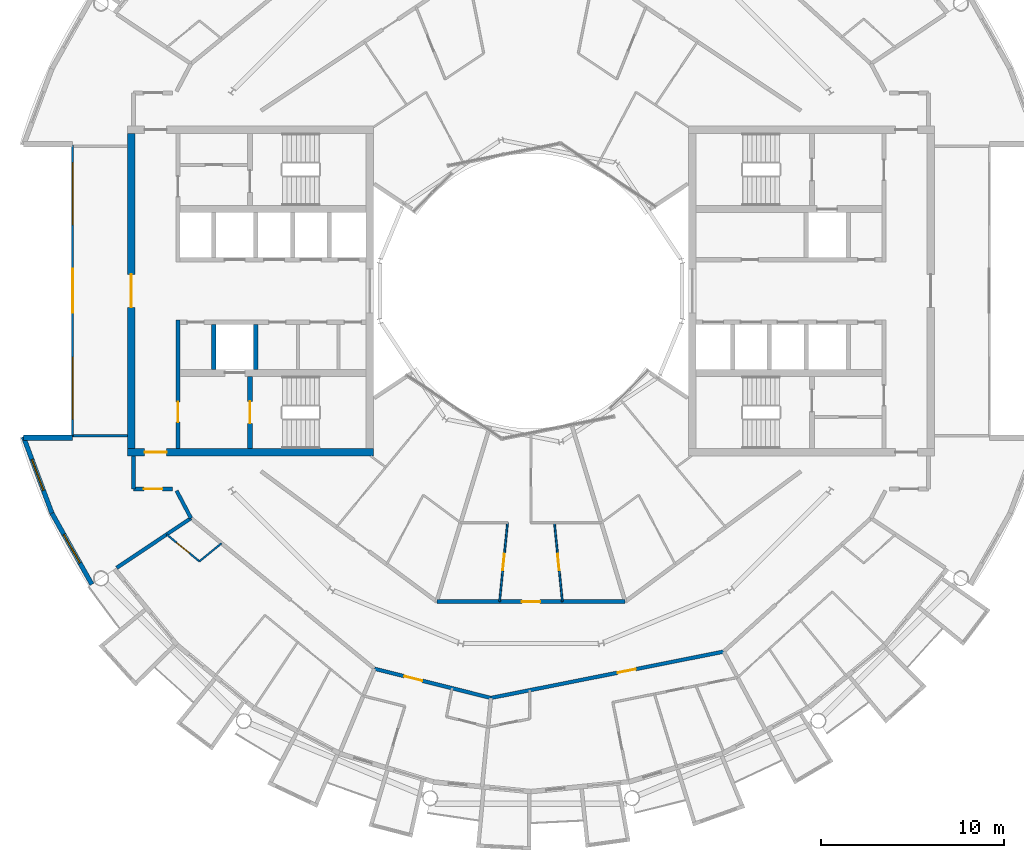
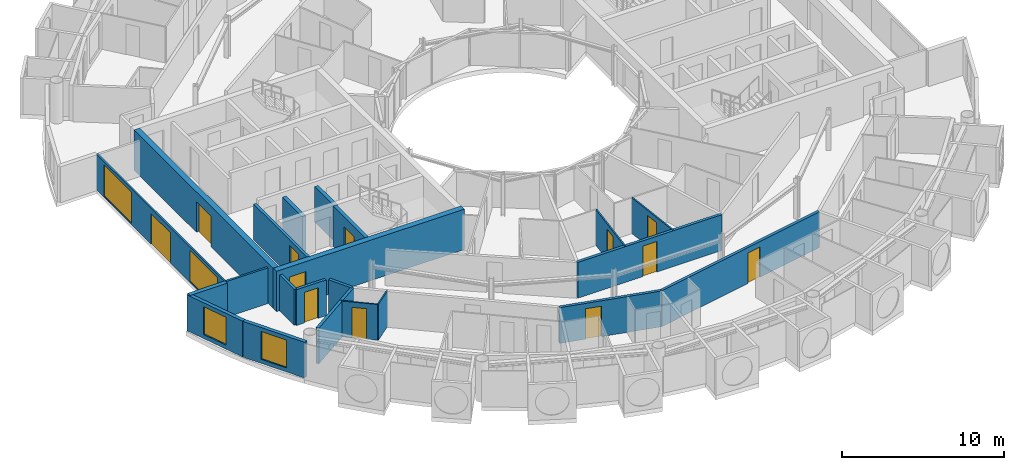
# One storey, part 16 of 28: 22 walls, 12 doors, 4 windows, 16 openings.
"""IFC4 building model written with IfcOpenShell, lengths in metres."""

import ifcopenshell
import ifcopenshell.guid

model = None  # the IFC model being written
_history = None  # IfcOwnerHistory: only IFC2X3 demands one
_inside = {}  # id of a spatial element -> (the spatial element, [elements in it])
_under = {}  # id of a project, library or spatial element -> (it, [spatial elements below it])
_declared = {}  # id of a project -> (the project, [libraries it declares])
_typed = {}  # id of a type object -> (the type object, [elements of that type])
_made_of = {}  # id of a material, layer set ... -> (it, [elements and type objects made of it])


def new_model(schema):
    """Start an empty IFC model of exactly this schema.

    Asked for "IFC4X3", IfcOpenShell would pick the latest addendum, in which some entities
    have other attributes; the version numbers below select the first issue.
    IFC2X3 requires an IfcOwnerHistory on every rooted entity: one is made here for all.
    """
    global model, _history
    if schema == "IFC4X3":
        model = ifcopenshell.file(schema_version=(4, 3, 0, 0))
    else:
        model = ifcopenshell.file(schema=schema)
    _inside.clear()
    _under.clear()
    _declared.clear()
    _typed.clear()
    _made_of.clear()
    _history = None
    if model.schema == "IFC2X3":
        org = make("IfcOrganization", Name="unknown")
        user = make(
            "IfcPersonAndOrganization",
            ThePerson=make("IfcPerson", FamilyName="unknown"),
            TheOrganization=org,
        )
        app = make(
            "IfcApplication",
            ApplicationDeveloper=org,
            Version="unknown",
            ApplicationFullName="unknown",
            ApplicationIdentifier="unknown",
        )
        _history = make(
            "IfcOwnerHistory",
            OwningUser=user,
            OwningApplication=app,
            ChangeAction="ADDED",
            CreationDate=0,
        )
    return model


def make(cls, **values):
    """One entity of the class cls with the attributes given. An attribute that is None is left unset."""
    return model.create_entity(
        cls, **{name: value for name, value in values.items() if value is not None}
    )


def rooted(cls, **values):
    """An entity with a GlobalId (a new one), such as an element, a storey or a relation."""
    return make(cls, GlobalId=ifcopenshell.guid.new(), OwnerHistory=_history, **values)


def si_unit(unit_type, name, prefix=None):
    """IfcSIUnit, for example si_unit("LENGTHUNIT", "METRE", prefix="MILLI")."""
    return make("IfcSIUnit", UnitType=unit_type, Prefix=prefix, Name=name)


def assignment(units):
    """IfcUnitAssignment: the units of a project."""
    return None if units is None else make("IfcUnitAssignment", Units=units)


def point(xyz):
    """IfcCartesianPoint."""
    return None if xyz is None else make("IfcCartesianPoint", Coordinates=xyz)


def direction(xyz):
    """IfcDirection."""
    return None if xyz is None else make("IfcDirection", DirectionRatios=xyz)


def frame(location, z_axis=None, x_axis=None):
    """IfcAxis2Placement3D, a coordinate frame: its origin and axes. An axis left out is left unset."""
    return make(
        "IfcAxis2Placement3D",
        Location=point(location),
        Axis=direction(z_axis),
        RefDirection=direction(x_axis),
    )


def frame_2d(location, x_axis=None):
    """IfcAxis2Placement2D, a coordinate frame in the plane: its origin and x axis."""
    return make(
        "IfcAxis2Placement2D", Location=point(location), RefDirection=direction(x_axis)
    )


def origin():
    """The frame at (0, 0, 0) with its axes left unset."""
    return frame((0.0, 0.0, 0.0))


def place(relative_to, where):
    """IfcLocalPlacement: puts the frame where relative to a parent placement (None: the world)."""
    return make(
        "IfcLocalPlacement", PlacementRelTo=relative_to, RelativePlacement=where
    )


def context(
    kind, dimensions, precision=None, world=None, true_north=None, identifier=None
):
    """IfcGeometricRepresentationContext, for example the 3D "Model" context."""
    return make(
        "IfcGeometricRepresentationContext",
        ContextIdentifier=identifier,
        ContextType=kind,
        CoordinateSpaceDimension=dimensions,
        Precision=precision,
        WorldCoordinateSystem=world,
        TrueNorth=true_north,
    )


def subcontext(parent, identifier, kind, view, scale=None):
    """IfcGeometricRepresentationSubContext, for example "Body" below "Model"."""
    return make(
        "IfcGeometricRepresentationSubContext",
        ContextIdentifier=identifier,
        ContextType=kind,
        ParentContext=parent,
        TargetScale=scale,
        TargetView=view,
    )


def project(units=None, contexts=None):
    """IfcProject with its units and contexts."""
    return rooted(
        "IfcProject",
        Name="project",
        RepresentationContexts=contexts,
        UnitsInContext=assignment(units),
    )


def spatial(cls, under=None, at=None, **own):
    """A site, building, storey or space (cls), placed at a placement, below another one or the project."""
    s = rooted(cls, ObjectPlacement=at, **own)
    if under is not None:
        _under.setdefault(under.id(), (under, []))[1].append(s)
    return s


def profile(cls, at=None, kind="AREA", **sizes):
    """A parametric profile (cls). Its sizes go by their IFC names, for example OverallWidth=200.0."""
    return make(cls, ProfileType=kind, Position=at, **sizes)


def rectangle(**sizes):
    """IfcRectangleProfileDef."""
    return profile("IfcRectangleProfileDef", **sizes)


def extrude(swept, where, along, depth):
    """IfcExtrudedAreaSolid: the profile swept, set in the frame where, extruded along a direction by depth."""
    return make(
        "IfcExtrudedAreaSolid",
        SweptArea=swept,
        Position=where,
        ExtrudedDirection=direction(along),
        Depth=depth,
    )


def shape(context_of_items, identifier, shape_type, items):
    """IfcShapeRepresentation: the items that make up one representation, for example the "Body"."""
    return make(
        "IfcShapeRepresentation",
        ContextOfItems=context_of_items,
        RepresentationIdentifier=identifier,
        RepresentationType=shape_type,
        Items=items,
    )


def material(Name=None, Category=None):
    """IfcMaterial."""
    return make("IfcMaterial", Name=Name, Category=Category)


def layer(
    of_material, thickness, ventilated=None, Name=None, Category=None, Priority=None
):
    """IfcMaterialLayer: one layer of a wall or slab, of a material (None: an air gap)."""
    return make(
        "IfcMaterialLayer",
        Material=of_material,
        LayerThickness=thickness,
        IsVentilated=ventilated,
        Name=Name,
        Category=Category,
        Priority=Priority,
    )


def layer_set(layers, Name=None):
    """IfcMaterialLayerSet."""
    return make("IfcMaterialLayerSet", MaterialLayers=layers, LayerSetName=Name)


def made_of(thing, what):
    """Note that an element or type object is made of a material, layer set ...; save() writes the relation."""
    if what is not None:
        _made_of.setdefault(what.id(), (what, []))[1].append(thing)
    return thing


def type_object(cls, material=None, **own):
    """A type object (cls), such as IfcWallType, which elements share."""
    return made_of(rooted(cls, **own), material)


def element(
    cls,
    number,
    at=None,
    inside=None,
    cuts=None,
    type_object=None,
    material=None,
    context=None,
    identifier="Body",
    shape_type=None,
    held_by="IfcProductDefinitionShape",
    body=None,
    shapes=None,
    **own,
):
    """One element of the class cls, such as IfcWall. Its Tag is "e" and its number.

    at: its placement. inside: the storey or other place that contains it. cuts: it is an
    opening in that element (IfcRelVoidsElement). A single representation is given by context,
    identifier, shape_type and body (its items); several are given by shapes. held_by: the class
    of the entity that holds the representations. save() writes the other relations.
    """
    e = rooted(cls, Tag="e%d" % number, ObjectPlacement=at, **own)
    if body is not None:
        shapes = [shape(context, identifier, shape_type, body)]
    if shapes is not None:
        e.Representation = make(held_by, Representations=shapes)
    if inside is not None:
        _inside.setdefault(inside.id(), (inside, []))[1].append(e)
    if cuts is not None:
        rooted(
            "IfcRelVoidsElement", RelatingBuildingElement=cuts, RelatedOpeningElement=e
        )
    if type_object is not None:
        _typed.setdefault(type_object.id(), (type_object, []))[1].append(e)
    return made_of(e, material)


def fill(opening, filler):
    """IfcRelFillsElement: the door or window that sits in an opening."""
    return rooted(
        "IfcRelFillsElement",
        RelatingOpeningElement=opening,
        RelatedBuildingElement=filler,
    )


def aggregate(whole, parts):
    """IfcRelAggregates: a whole, such as a stair, and the parts it consists of."""
    return rooted("IfcRelAggregates", RelatingObject=whole, RelatedObjects=parts)


def save(model, path):
    """Write the relations noted so far, then the file.

    IfcRelAggregates (storeys below a building ...), IfcRelContainedInSpatialStructure (elements
    in a storey), IfcRelDefinesByType, IfcRelAssociatesMaterial and IfcRelDeclares: one each for
    every whole, place, type object, material and project.
    """
    for whole, parts in _under.values():
        aggregate(whole, parts)
    for where, things in _inside.values():
        rooted(
            "IfcRelContainedInSpatialStructure",
            RelatedElements=things,
            RelatingStructure=where,
        )
    for kind, things in _typed.values():
        rooted("IfcRelDefinesByType", RelatedObjects=things, RelatingType=kind)
    for what, things in _made_of.values():
        rooted("IfcRelAssociatesMaterial", RelatedObjects=things, RelatingMaterial=what)
    for by, libraries in _declared.values():
        rooted("IfcRelDeclares", RelatingContext=by, RelatedDefinitions=libraries)
    model.write(path)


model = new_model("IFC4")

# Units and contexts
model_context = context("Model", 3, precision=1e-05, world=origin(), true_north=direction((0.0, 1.0)))
body_context = subcontext(model_context, "Body", "Model", "MODEL_VIEW")
ifc_project = project(units=[si_unit("LENGTHUNIT", "METRE"), si_unit("AREAUNIT", "SQUARE_METRE"), si_unit("VOLUMEUNIT", "CUBIC_METRE"), si_unit("PLANEANGLEUNIT", "RADIAN"), si_unit("MASSUNIT", "GRAM", prefix="KILO")], contexts=[model_context])

# Site, building, storey
site_placement = place(None, origin())
site = spatial("IfcSite", under=ifc_project, at=site_placement, CompositionType="ELEMENT")
building_placement = place(site_placement, origin())
building = spatial("IfcBuilding", under=site, at=building_placement, Name="Maasbend Ring Residences", CompositionType="ELEMENT")
storey_placement = place(building_placement, frame((0.0, 0.0, 227.949951171875)))
storey = spatial("IfcBuildingStorey", under=building, at=storey_placement, Name="L65", CompositionType="ELEMENT", Elevation=227.949951171875)

# Wall, opening, door
ifc_material_1 = material(Name="Concrete C50/60", Category="concrete")
ifc_layer_1 = layer(ifc_material_1, 0.25)
ifc_layer_set_1 = layer_set([ifc_layer_1], Name="Concrete C50/60")
wall_type_1 = type_object("IfcWallType", Name="CORE WALL 250 C50/60", PredefinedType="SHEAR", material=ifc_layer_set_1)
wall_1_placement = place(storey_placement, frame((-15.324951171875, -4.64990234375, 0.0), z_axis=(0.0, 0.0, 1.0), x_axis=(0.0, -1.0, 0.0)))
wall_1 = element("IfcWall", 1, at=wall_1_placement, inside=storey, type_object=wall_type_1, Name="L65 core W wall STEN", PredefinedType="SHEAR", context=body_context, shape_type="SweptSolid", body=[
    extrude(rectangle(XDim=3.9501953125, YDim=0.25, at=frame_2d((1.97509765625, 0.0))), origin(), (0.0, 0.0, 1.0), 3.050048828125),
])
opening_1_placement = place(wall_1_placement, frame((1.375, 0.0, 0.0)))
opening_1 = element("IfcOpeningElement", 2, at=opening_1_placement, cuts=wall_1, Name="Opening D-W6511", PredefinedType="OPENING", context=body_context, shape_type="SweptSolid", body=[
    extrude(rectangle(XDim=1.199951171875, YDim=2.300048828125, at=frame_2d((0.60009765625, 1.14990234375))), frame((0.0, 0.135009765625, 0.0), z_axis=(0.0, -1.0, 0.0), x_axis=(1.0, 0.0, 0.0)), (0.0, 0.0, 1.0), 0.27001953125),
])
ifc_material_2 = material(Name="Steel, powder coated", Category="steel")
door_type_1 = type_object("IfcDoorType", Name="STAIR DOOR 1200 X 2300 FD60", OperationType="NOTDEFINED", PredefinedType="DOOR", material=ifc_material_2)
door_1_placement = place(opening_1_placement, origin())
door_1 = element("IfcDoor", 3, at=door_1_placement, inside=storey, type_object=door_type_1, Name="Stair door ST-W L65", OperationType="SINGLE_SWING_LEFT", OverallHeight=2.300048828125, OverallWidth=1.199951171875, PredefinedType="DOOR", context=body_context, shape_type="SweptSolid", body=[
    extrude(rectangle(XDim=1.199951171875, YDim=2.300048828125, at=frame_2d((0.60009765625, 1.14990234375))), frame((0.0, 0.02490234375, 0.0), z_axis=(0.0, -1.0, 0.0), x_axis=(1.0, 0.0, 0.0)), (0.0, 0.0, 1.0), 0.050048828125),
])
fill(opening_1, door_1)

ifc_material_3 = material(Name="Concrete C50/60", Category="concrete")
ifc_layer_2 = layer(ifc_material_3, 0.39990234375)
ifc_layer_set_2 = layer_set([ifc_layer_2], Name="Concrete C50/60")
wall_type_2 = type_object("IfcWallType", Name="CORE WALL 400 C50/60", PredefinedType="SHEAR", material=ifc_layer_set_2)
wall_2_placement = place(storey_placement, frame((-22.0, -8.800048828125, 0.0), z_axis=(0.0, 0.0, 1.0), x_axis=(1.0, 0.0, 0.0)))
wall_2 = element("IfcWall", 4, at=wall_2_placement, inside=storey, type_object=wall_type_2, Name="L65 core W wall PN", PredefinedType="SHEAR", context=body_context, shape_type="SweptSolid", body=[
    extrude(rectangle(XDim=13.39990234375, YDim=0.39990234375, at=frame_2d((6.699951171875, 0.0))), origin(), (0.0, 0.0, 1.0), 3.050048828125),
])
opening_2_placement = place(wall_2_placement, frame((0.925048828125, 0.0, 0.0)))
opening_2 = element("IfcOpeningElement", 5, at=opening_2_placement, cuts=wall_2, Name="Opening D-W6515", PredefinedType="OPENING", context=body_context, shape_type="SweptSolid", body=[
    extrude(rectangle(XDim=1.199951171875, YDim=2.300048828125, at=frame_2d((0.60009765625, 1.14990234375))), frame((0.0, 0.2099609375, 0.0), z_axis=(0.0, -1.0, 0.0), x_axis=(1.0, 0.0, 0.0)), (0.0, 0.0, 1.0), 0.419921875),
])
ifc_material_4 = material(Name="Steel, powder coated", Category="steel")
door_type_2 = type_object("IfcDoorType", Name="CORRIDOR DOOR 1200 X 2300 FD30S", OperationType="NOTDEFINED", PredefinedType="DOOR", material=ifc_material_4)
door_2_placement = place(opening_2_placement, origin())
door_2 = element("IfcDoor", 6, at=door_2_placement, inside=storey, type_object=door_type_2, Name="Corridor door L65", OperationType="SINGLE_SWING_RIGHT", OverallHeight=2.300048828125, OverallWidth=1.199951171875, PredefinedType="DOOR", context=body_context, shape_type="SweptSolid", body=[
    extrude(rectangle(XDim=1.199951171875, YDim=2.300048828125, at=frame_2d((0.60009765625, 1.14990234375))), frame((0.0, 0.02490234375, 0.0), z_axis=(0.0, -1.0, 0.0), x_axis=(1.0, 0.0, 0.0)), (0.0, 0.0, 1.0), 0.050048828125),
])
fill(opening_2, door_2)

wall_3_placement = place(storey_placement, frame((-21.800048828125, -8.60009765625, 0.0), z_axis=(0.0, 0.0, 1.0), x_axis=(0.0, 1.0, 0.0)))
wall_3 = element("IfcWall", 7, at=wall_3_placement, inside=storey, type_object=wall_type_2, Name="L65 core W wall POUT", PredefinedType="SHEAR", context=body_context, shape_type="SweptSolid", body=[
    extrude(rectangle(XDim=17.2001953125, YDim=0.39990234375, at=frame_2d((8.60009765625, 0.0))), origin(), (0.0, 0.0, 1.0), 3.050048828125),
])
opening_3_placement = place(wall_3_placement, frame((7.699951171875, 0.0, 0.0)))
opening_3 = element("IfcOpeningElement", 8, at=opening_3_placement, cuts=wall_3, Name="Opening D-W6517", PredefinedType="OPENING", context=body_context, shape_type="SweptSolid", body=[
    extrude(rectangle(XDim=1.800048828125, YDim=2.300048828125, at=frame_2d((0.89990234375, 1.14990234375))), frame((0.0, 0.2099609375, 0.0), z_axis=(0.0, -1.0, 0.0), x_axis=(1.0, 0.0, 0.0)), (0.0, 0.0, 1.0), 0.419921875),
])
ifc_material_5 = material(Name="Aluminium frame, clear glass", Category="aluminium")
door_type_3 = type_object("IfcDoorType", Name="ENTRANCE DOOR 1800 X 2300 FD60", OperationType="NOTDEFINED", PredefinedType="DOOR", material=ifc_material_5)
door_3_placement = place(opening_3_placement, origin())
door_3 = element("IfcDoor", 9, at=door_3_placement, inside=storey, type_object=door_type_3, Name="Lobby glazed door L65", OperationType="SINGLE_SWING_LEFT", OverallHeight=2.300048828125, OverallWidth=1.800048828125, PredefinedType="DOOR", context=body_context, shape_type="SweptSolid", body=[
    extrude(rectangle(XDim=1.800048828125, YDim=2.300048828125, at=frame_2d((0.89990234375, 1.14990234375))), frame((0.0, 0.02490234375, 0.0), z_axis=(0.0, -1.0, 0.0), x_axis=(1.0, 0.0, 0.0)), (0.0, 0.0, 1.0), 0.050048828125),
])
fill(opening_3, door_3)

# Wall
ifc_material_6 = material(Name="Concrete C30/37", Category="concrete")
ifc_layer_3 = layer(ifc_material_6, 0.199951171875)
ifc_layer_set_3 = layer_set([ifc_layer_3], Name="Concrete C30/37")
wall_type_3 = type_object("IfcWallType", Name="CORRIDOR WALL 200 CONCRETE", PredefinedType="PARTITIONING", material=ifc_layer_set_3)
wall_4_placement = place(storey_placement, frame((-19.327880859375, -10.89599609375, 0.0), z_axis=(0.0, 0.0, 1.0), x_axis=(0.465812036273, -0.88488369115, 0.0)))
element("IfcWall", 10, at=wall_4_placement, inside=storey, type_object=wall_type_3, Name="U-L65-w009", PredefinedType="PARTITIONING", context=body_context, shape_type="SweptSolid", body=[
    extrude(rectangle(XDim=1.687255859375, YDim=0.199951171875, at=frame_2d((0.84375, 0.0))), origin(), (0.0, 0.0, 1.0), 2.699951171875),
])

# Wall, opening, door
wall_5_placement = place(storey_placement, frame((-8.533935546875, -20.60302734375, 0.0), z_axis=(0.0, 0.0, 1.0), x_axis=(0.97003047456, -0.242983288366, 0.0)))
wall_5 = element("IfcWall", 11, at=wall_5_placement, inside=storey, type_object=wall_type_3, Name="U-L65-w011", PredefinedType="PARTITIONING", context=body_context, shape_type="SweptSolid", body=[
    extrude(rectangle(XDim=6.5439453125, YDim=0.199951171875, at=frame_2d((3.27197265625, 0.0))), origin(), (0.0, 0.0, 1.0), 2.699951171875),
])
opening_4_placement = place(wall_5_placement, frame((1.680908203125, 0.0, 0.0)))
opening_4 = element("IfcOpeningElement", 12, at=opening_4_placement, cuts=wall_5, Name="Opening D-6532", PredefinedType="OPENING", context=body_context, shape_type="SweptSolid", body=[
    extrude(rectangle(XDim=1.0, YDim=2.300048828125, at=frame_2d((0.5, 1.14990234375))), frame((0.0, 0.10986328125, 0.0), z_axis=(0.0, -1.0, 0.0), x_axis=(1.0, 0.0, 0.0)), (0.0, 0.0, 1.0), 0.219970703125),
])
ifc_material_7 = material(Name="Timber, fire-rated, painted", Category="wood")
door_type_4 = type_object("IfcDoorType", Name="FLAT ENTRANCE DOOR 1000 X 2300 FIRE-RATED", OperationType="NOTDEFINED", PredefinedType="DOOR", material=ifc_material_7)
door_4_placement = place(opening_4_placement, origin())
door_4 = element("IfcDoor", 13, at=door_4_placement, inside=storey, type_object=door_type_4, Name="D-6532", OperationType="SINGLE_SWING_LEFT", OverallHeight=2.300048828125, OverallWidth=1.0, PredefinedType="DOOR", context=body_context, shape_type="SweptSolid", body=[
    extrude(rectangle(XDim=1.0, YDim=2.300048828125, at=frame_2d((0.5, 1.14990234375))), frame((0.0, 0.02490234375, 0.0), z_axis=(0.0, -1.0, 0.0), x_axis=(1.0, 0.0, 0.0)), (0.0, 0.0, 1.0), 0.050048828125),
])
fill(opening_4, door_4)

wall_6_placement = place(storey_placement, frame((-2.18603515625, -22.193115234375, 0.0), z_axis=(0.0, 0.0, 1.0), x_axis=(0.980780341017, 0.195115152343, 0.0)))
wall_6 = element("IfcWall", 14, at=wall_6_placement, inside=storey, type_object=wall_type_3, Name="U-L65-w016", PredefinedType="PARTITIONING", context=body_context, shape_type="SweptSolid", body=[
    extrude(rectangle(XDim=12.94677734375, YDim=0.199951171875, at=frame_2d((6.473388671875, 0.0))), origin(), (0.0, 0.0, 1.0), 2.699951171875),
])
opening_5_placement = place(wall_6_placement, frame((7.052978515625, 0.0, 0.0)))
opening_5 = element("IfcOpeningElement", 15, at=opening_5_placement, cuts=wall_6, Name="Opening D-6535", PredefinedType="OPENING", context=body_context, shape_type="SweptSolid", body=[
    extrude(rectangle(XDim=1.0, YDim=2.300048828125, at=frame_2d((0.5, 1.14990234375))), frame((0.0, 0.10986328125, 0.0), z_axis=(0.0, -1.0, 0.0), x_axis=(1.0, 0.0, 0.0)), (0.0, 0.0, 1.0), 0.219970703125),
])
door_5_placement = place(opening_5_placement, origin())
door_5 = element("IfcDoor", 16, at=door_5_placement, inside=storey, type_object=door_type_4, Name="D-6535", OperationType="SINGLE_SWING_RIGHT", OverallHeight=2.300048828125, OverallWidth=1.0, PredefinedType="DOOR", context=body_context, shape_type="SweptSolid", body=[
    extrude(rectangle(XDim=1.0, YDim=2.300048828125, at=frame_2d((0.5, 1.14990234375))), frame((0.0, 0.02490234375, 0.0), z_axis=(0.0, -1.0, 0.0), x_axis=(1.0, 0.0, 0.0)), (0.0, 0.0, 1.0), 0.050048828125),
])
fill(opening_5, door_5)

wall_7_placement = place(storey_placement, frame((-5.137939453125, -16.93798828125, 0.0), z_axis=(0.0, 0.0, 1.0), x_axis=(1.0, 0.0, 0.0)))
wall_7 = element("IfcWall", 17, at=wall_7_placement, inside=storey, type_object=wall_type_3, Name="U-L65-w017", PredefinedType="PARTITIONING", context=body_context, shape_type="SweptSolid", body=[
    extrude(rectangle(XDim=10.27587890625, YDim=0.199951171875, at=frame_2d((5.137939453125, 0.0))), origin(), (0.0, 0.0, 1.0), 2.699951171875),
])
opening_6_placement = place(wall_7_placement, frame((4.637939453125, 0.0, 0.0)))
opening_6 = element("IfcOpeningElement", 18, at=opening_6_placement, cuts=wall_7, Name="Opening D-6549", PredefinedType="OPENING", context=body_context, shape_type="SweptSolid", body=[
    extrude(rectangle(XDim=1.0, YDim=2.300048828125, at=frame_2d((0.5, 1.14990234375))), frame((0.0, 0.10986328125, 0.0), z_axis=(0.0, -1.0, 0.0), x_axis=(1.0, 0.0, 0.0)), (0.0, 0.0, 1.0), 0.219970703125),
])
door_6_placement = place(opening_6_placement, origin())
door_6 = element("IfcDoor", 19, at=door_6_placement, inside=storey, type_object=door_type_4, Name="D-6549", OperationType="SINGLE_SWING_LEFT", OverallHeight=2.300048828125, OverallWidth=1.0, PredefinedType="DOOR", context=body_context, shape_type="SweptSolid", body=[
    extrude(rectangle(XDim=1.0, YDim=2.300048828125, at=frame_2d((0.5, 1.14990234375))), frame((0.0, 0.02490234375, 0.0), z_axis=(0.0, -1.0, 0.0), x_axis=(1.0, 0.0, 0.0)), (0.0, 0.0, 1.0), 0.050048828125),
])
fill(opening_6, door_6)

wall_8_placement = place(storey_placement, frame((-21.675048828125, -10.800048828125, 0.0), z_axis=(0.0, 0.0, 1.0), x_axis=(1.0, 0.0, 0.0)))
wall_8 = element("IfcWall", 20, at=wall_8_placement, inside=storey, type_object=wall_type_3, Name="U-L65-w026", PredefinedType="PARTITIONING", context=body_context, shape_type="SweptSolid", body=[
    extrude(rectangle(XDim=2.132080078125, YDim=0.199951171875, at=frame_2d((1.06591796875, 0.0))), origin(), (0.0, 0.0, 1.0), 2.699951171875),
])
opening_7_placement = place(wall_8_placement, frame((0.56591796875, 0.0, 0.0)))
opening_7 = element("IfcOpeningElement", 21, at=opening_7_placement, cuts=wall_8, Name="Opening D-6557", PredefinedType="OPENING", context=body_context, shape_type="SweptSolid", body=[
    extrude(rectangle(XDim=1.0, YDim=2.300048828125, at=frame_2d((0.5, 1.14990234375))), frame((0.0, 0.10986328125, 0.0), z_axis=(0.0, -1.0, 0.0), x_axis=(1.0, 0.0, 0.0)), (0.0, 0.0, 1.0), 0.219970703125),
])
ifc_material_8 = material(Name="Timber, painted", Category="wood")
door_type_5 = type_object("IfcDoorType", Name="ROOM DOOR 1000 X 2300", OperationType="NOTDEFINED", PredefinedType="DOOR", material=ifc_material_8)
door_7_placement = place(opening_7_placement, origin())
door_7 = element("IfcDoor", 22, at=door_7_placement, inside=storey, type_object=door_type_5, Name="D-6557", OperationType="SINGLE_SWING_LEFT", OverallHeight=2.300048828125, OverallWidth=1.0, PredefinedType="DOOR", context=body_context, shape_type="SweptSolid", body=[
    extrude(rectangle(XDim=1.0, YDim=2.300048828125, at=frame_2d((0.5, 1.14990234375))), frame((0.0, 0.02490234375, 0.0), z_axis=(0.0, -1.0, 0.0), x_axis=(1.0, 0.0, 0.0)), (0.0, 0.0, 1.0), 0.050048828125),
])
fill(opening_7, door_7)

# Wall
wall_9_placement = place(storey_placement, frame((-21.675048828125, -10.800048828125, 0.0), z_axis=(0.0, 0.0, 1.0), x_axis=(0.0, 1.0, 0.0)))
element("IfcWall", 23, at=wall_9_placement, inside=storey, type_object=wall_type_3, Name="U-L65-w096", PredefinedType="PARTITIONING", context=body_context, shape_type="SweptSolid", body=[
    extrude(rectangle(XDim=1.800048828125, YDim=0.199951171875, at=frame_2d((0.89990234375, 0.0))), origin(), (0.0, 0.0, 1.0), 2.699951171875),
])

# Wall, opening, window
ifc_material_9 = material(Name="Aluminium clad insulated panel", Category="aluminium")
ifc_layer_4 = layer(ifc_material_9, 0.25)
ifc_layer_set_4 = layer_set([ifc_layer_4], Name="EW-HORN")
wall_type_4 = type_object("IfcWallType", Name="EW-HORN", PredefinedType="SOLIDWALL", material=ifc_layer_set_4)
wall_10_placement = place(storey_placement, frame((-27.681884765625, -7.945068359375, 0.0), z_axis=(0.0, 0.0, 1.0), x_axis=(0.349247811493, -0.937030397675, 0.0)))
wall_10 = element("IfcWall", 24, at=wall_10_placement, inside=storey, type_object=wall_type_4, Name="Horn wall 3.1", PredefinedType="SOLIDWALL", context=body_context, shape_type="SweptSolid", body=[
    extrude(rectangle(XDim=4.4521484375, YDim=0.25, at=frame_2d((2.22607421875, 0.0))), origin(), (0.0, 0.0, 1.0), 2.699951171875),
])
opening_8_placement = place(wall_10_placement, frame((1.32666015625, 0.0, 0.300048828125)))
opening_8 = element("IfcOpeningElement", 25, at=opening_8_placement, cuts=wall_10, Name="Opening W-BX", PredefinedType="OPENING", context=body_context, shape_type="SweptSolid", body=[
    extrude(rectangle(XDim=1.800048828125, YDim=2.10009765625, at=frame_2d((0.89990234375, 1.050048828125))), frame((0.0, 0.135009765625, 0.0), z_axis=(0.0, -1.0, 0.0), x_axis=(1.0, 0.0, 0.0)), (0.0, 0.0, 1.0), 0.27001953125),
])
ifc_material_10 = material(Name="Aluminium and clear glass", Category="aluminium")
window_type_1 = type_object("IfcWindowType", Name="W-BX", PartitioningType="DOUBLE_PANEL_VERTICAL", PredefinedType="WINDOW", material=ifc_material_10)
window_1_placement = place(opening_8_placement, origin())
window_1 = element("IfcWindow", 26, at=window_1_placement, inside=storey, type_object=window_type_1, Name="Horn window 3.1", OverallHeight=2.10009765625, OverallWidth=1.800048828125, PartitioningType="SINGLE_PANEL", PredefinedType="WINDOW", context=body_context, shape_type="SweptSolid", body=[
    extrude(rectangle(XDim=1.800048828125, YDim=2.10009765625, at=frame_2d((0.89990234375, 1.050048828125))), frame((0.0, 0.030029296875, 0.0), z_axis=(0.0, -1.0, 0.0), x_axis=(1.0, 0.0, 0.0)), (0.0, 0.0, 1.0), 0.06005859375),
])
fill(opening_8, window_1)

wall_11_placement = place(storey_placement, frame((-26.126953125, -12.116943359375, 0.0), z_axis=(0.0, 0.0, 1.0), x_axis=(0.489696356642, -0.871893042919, 0.0)))
wall_11 = element("IfcWall", 27, at=wall_11_placement, inside=storey, type_object=wall_type_4, Name="Horn wall 3.2", PredefinedType="SOLIDWALL", context=body_context, shape_type="SweptSolid", body=[
    extrude(rectangle(XDim=4.45361328125, YDim=0.25, at=frame_2d((2.226806640625, 0.0))), origin(), (0.0, 0.0, 1.0), 2.699951171875),
])
opening_9_placement = place(wall_11_placement, frame((1.32666015625, 0.0, 0.300048828125)))
opening_9 = element("IfcOpeningElement", 28, at=opening_9_placement, cuts=wall_11, Name="Opening W-BX", PredefinedType="OPENING", context=body_context, shape_type="SweptSolid", body=[
    extrude(rectangle(XDim=1.800048828125, YDim=2.10009765625, at=frame_2d((0.89990234375, 1.050048828125))), frame((0.0, 0.135009765625, 0.0), z_axis=(0.0, -1.0, 0.0), x_axis=(1.0, 0.0, 0.0)), (0.0, 0.0, 1.0), 0.27001953125),
])
window_2_placement = place(opening_9_placement, origin())
window_2 = element("IfcWindow", 29, at=window_2_placement, inside=storey, type_object=window_type_1, Name="Horn window 3.2", OverallHeight=2.10009765625, OverallWidth=1.800048828125, PartitioningType="SINGLE_PANEL", PredefinedType="WINDOW", context=body_context, shape_type="SweptSolid", body=[
    extrude(rectangle(XDim=1.800048828125, YDim=2.10009765625, at=frame_2d((0.89990234375, 1.050048828125))), frame((0.0, 0.030029296875, 0.0), z_axis=(0.0, -1.0, 0.0), x_axis=(1.0, 0.0, 0.0)), (0.0, 0.0, 1.0), 0.06005859375),
])
fill(opening_9, window_2)

# Wall
ifc_material_11 = material(Name="Aluminium clad insulated panel", Category="aluminium")
ifc_layer_5 = layer(ifc_material_11, 0.300048828125)
ifc_layer_set_5 = layer_set([ifc_layer_5], Name="EW-RET")
wall_type_5 = type_object("IfcWallType", Name="EW-RET", PredefinedType="SOLIDWALL", material=ifc_layer_set_5)
wall_12_placement = place(storey_placement, frame((-25.0, -8.0, 0.0), z_axis=(0.0, 0.0, 1.0), x_axis=(-1.0, 0.0, 0.0)))
element("IfcWall", 30, at=wall_12_placement, inside=storey, type_object=wall_type_5, Name="Notch return wall west south", PredefinedType="SOLIDWALL", context=body_context, shape_type="SweptSolid", body=[
    extrude(rectangle(XDim=2.6669921875, YDim=0.300048828125, at=frame_2d((1.33349609375, 0.0))), origin(), (0.0, 0.0, 1.0), 2.699951171875),
])

# Wall, openings, door, windows
ifc_material_12 = material(Name="Aluminium frame and clear glass", Category="aluminium")
ifc_layer_6 = layer(ifc_material_12, 0.1201171875)
ifc_layer_set_6 = layer_set([ifc_layer_6], Name="GLAZED SCREEN WALL 120 EI 60")
wall_type_6 = type_object("IfcWallType", Name="GLAZED SCREEN WALL 120 EI 60", PredefinedType="PARTITIONING", material=ifc_layer_set_6)
wall_13_placement = place(storey_placement, frame((-25.0, -7.949951171875, 0.0), z_axis=(0.0, 0.0, 1.0), x_axis=(0.0, 1.0, 0.0)))
wall_13 = element("IfcWall", 31, at=wall_13_placement, inside=storey, type_object=wall_type_6, Name="L65 core W wall FACE", PredefinedType="PARTITIONING", context=body_context, shape_type="SweptSolid", body=[
    extrude(rectangle(XDim=15.89990234375, YDim=0.1201171875, at=frame_2d((7.949951171875, 0.0))), origin(), (0.0, 0.0, 1.0), 2.699951171875),
])
opening_10_placement = place(wall_13_placement, frame((6.75, 0.0, 0.0)))
opening_10 = element("IfcOpeningElement", 32, at=opening_10_placement, cuts=wall_13, Name="Opening D-W6518", PredefinedType="OPENING", context=body_context, shape_type="SweptSolid", body=[
    extrude(rectangle(XDim=2.39990234375, YDim=2.300048828125, at=frame_2d((1.199951171875, 1.14990234375))), frame((0.0, 0.070068359375, 0.0), z_axis=(0.0, -1.0, 0.0), x_axis=(1.0, 0.0, 0.0)), (0.0, 0.0, 1.0), 0.14013671875),
])
opening_11_placement = place(wall_13_placement, frame((11.550048828125, 0.0, 0.10009765625)))
opening_11 = element("IfcOpeningElement", 33, at=opening_11_placement, cuts=wall_13, Name="Opening W-W6502", PredefinedType="OPENING", context=body_context, shape_type="SweptSolid", body=[
    extrude(rectangle(XDim=3.39990234375, YDim=2.35009765625, at=frame_2d((1.699951171875, 1.175048828125))), frame((0.0, 0.070068359375, 0.0), z_axis=(0.0, -1.0, 0.0), x_axis=(1.0, 0.0, 0.0)), (0.0, 0.0, 1.0), 0.14013671875),
])
opening_12_placement = place(wall_13_placement, frame((0.949951171875, 0.0, 0.10009765625)))
opening_12 = element("IfcOpeningElement", 34, at=opening_12_placement, cuts=wall_13, Name="Opening W-W6503", PredefinedType="OPENING", context=body_context, shape_type="SweptSolid", body=[
    extrude(rectangle(XDim=3.39990234375, YDim=2.35009765625, at=frame_2d((1.699951171875, 1.175048828125))), frame((0.0, 0.070068359375, 0.0), z_axis=(0.0, -1.0, 0.0), x_axis=(1.0, 0.0, 0.0)), (0.0, 0.0, 1.0), 0.14013671875),
])
ifc_material_13 = material(Name="Aluminium frame, clear glass", Category="aluminium")
door_type_6 = type_object("IfcDoorType", Name="ENTRANCE DOOR 2400 X 2300 FD60", OperationType="NOTDEFINED", PredefinedType="DOOR", material=ifc_material_13)
door_8_placement = place(opening_10_placement, origin())
door_8 = element("IfcDoor", 35, at=door_8_placement, inside=storey, type_object=door_type_6, Name="Lobby glazed door L65", OperationType="SINGLE_SWING_LEFT", OverallHeight=2.300048828125, OverallWidth=2.39990234375, PredefinedType="DOOR", context=body_context, shape_type="SweptSolid", body=[
    extrude(rectangle(XDim=2.39990234375, YDim=2.300048828125, at=frame_2d((1.199951171875, 1.14990234375))), frame((0.0, 0.02490234375, 0.0), z_axis=(0.0, -1.0, 0.0), x_axis=(1.0, 0.0, 0.0)), (0.0, 0.0, 1.0), 0.050048828125),
])
fill(opening_10, door_8)
ifc_material_14 = material(Name="Aluminium frame and clear glass", Category="aluminium")
window_type_2 = type_object("IfcWindowType", Name="FIXED WINDOW 3400 X 2350", PartitioningType="SINGLE_PANEL", PredefinedType="WINDOW", material=ifc_material_14)
window_3_placement = place(opening_11_placement, origin())
window_3 = element("IfcWindow", 36, at=window_3_placement, inside=storey, type_object=window_type_2, Name="Lobby window L65", OverallHeight=2.35009765625, OverallWidth=3.39990234375, PartitioningType="SINGLE_PANEL", PredefinedType="WINDOW", context=body_context, shape_type="SweptSolid", body=[
    extrude(rectangle(XDim=3.39990234375, YDim=2.35009765625, at=frame_2d((1.699951171875, 1.175048828125))), frame((0.0, 0.030029296875, 0.0), z_axis=(0.0, -1.0, 0.0), x_axis=(1.0, 0.0, 0.0)), (0.0, 0.0, 1.0), 0.06005859375),
])
fill(opening_11, window_3)
window_4_placement = place(opening_12_placement, origin())
window_4 = element("IfcWindow", 37, at=window_4_placement, inside=storey, type_object=window_type_2, Name="Lobby window L65", OverallHeight=2.35009765625, OverallWidth=3.39990234375, PartitioningType="SINGLE_PANEL", PredefinedType="WINDOW", context=body_context, shape_type="SweptSolid", body=[
    extrude(rectangle(XDim=3.39990234375, YDim=2.35009765625, at=frame_2d((1.699951171875, 1.175048828125))), frame((0.0, 0.030029296875, 0.0), z_axis=(0.0, -1.0, 0.0), x_axis=(1.0, 0.0, 0.0)), (0.0, 0.0, 1.0), 0.06005859375),
])
fill(opening_12, window_4)

# Wall, opening, door
ifc_material_15 = material(Name="Gypsum board on steel studs", Category="steel")
ifc_layer_7 = layer(ifc_material_15, 0.10009765625)
ifc_layer_set_7 = layer_set([ifc_layer_7], Name="PARTITION 100 GYPSUM")
wall_type_7 = type_object("IfcWallType", Name="PARTITION 100 GYPSUM", PredefinedType="PARTITIONING", material=ifc_layer_set_7)
wall_14_placement = place(storey_placement, frame((-19.875, -13.27392578125, 0.0), z_axis=(0.0, 0.0, 1.0), x_axis=(0.77288890179, -0.634541366256, 0.0)))
wall_14 = element("IfcWall", 38, at=wall_14_placement, inside=storey, type_object=wall_type_7, Name="U-L65-w005", PredefinedType="PARTITIONING", context=body_context, shape_type="SweptSolid", body=[
    extrude(rectangle(XDim=2.3134765625, YDim=0.10009765625, at=frame_2d((1.15673828125, 0.0))), origin(), (0.0, 0.0, 1.0), 2.699951171875),
])
opening_13_placement = place(wall_14_placement, frame((0.7109375, 0.0, 0.0)))
opening_13 = element("IfcOpeningElement", 39, at=opening_13_placement, cuts=wall_14, Name="Opening D-6528", PredefinedType="OPENING", context=body_context, shape_type="SweptSolid", body=[
    extrude(rectangle(XDim=0.89990234375, YDim=2.300048828125, at=frame_2d((0.449951171875, 1.14990234375))), frame((0.0, 0.06005859375, 0.0), z_axis=(0.0, -1.0, 0.0), x_axis=(1.0, 0.0, 0.0)), (0.0, 0.0, 1.0), 0.1201171875),
])
ifc_material_16 = material(Name="Timber, painted", Category="wood")
door_type_7 = type_object("IfcDoorType", Name="INTERNAL DOOR 900 X 2300", OperationType="NOTDEFINED", PredefinedType="DOOR", material=ifc_material_16)
door_9_placement = place(opening_13_placement, origin())
door_9 = element("IfcDoor", 40, at=door_9_placement, inside=storey, type_object=door_type_7, Name="D-6528", OperationType="SINGLE_SWING_RIGHT", OverallHeight=2.300048828125, OverallWidth=0.89990234375, PredefinedType="DOOR", context=body_context, shape_type="SweptSolid", body=[
    extrude(rectangle(XDim=0.89990234375, YDim=2.300048828125, at=frame_2d((0.449951171875, 1.14990234375))), frame((0.0, 0.02490234375, 0.0), z_axis=(0.0, -1.0, 0.0), x_axis=(1.0, 0.0, 0.0)), (0.0, 0.0, 1.0), 0.050048828125),
])
fill(opening_13, door_9)

# Wall
wall_15_placement = place(storey_placement, frame((-18.083984375, -14.7451171875, 0.0), z_axis=(0.0, 0.0, 1.0), x_axis=(0.774869051393, 0.632121786679, 0.0)))
element("IfcWall", 41, at=wall_15_placement, inside=storey, type_object=wall_type_7, Name="U-L65-w034", PredefinedType="PARTITIONING", context=body_context, shape_type="SweptSolid", body=[
    extrude(rectangle(XDim=1.5615234375, YDim=0.10009765625, at=frame_2d((0.78076171875, 0.0))), origin(), (0.0, 0.0, 1.0), 2.699951171875),
])

# Wall, opening, door
wall_16_placement = place(storey_placement, frame((-1.712890625, -16.93798828125, 0.0), z_axis=(0.0, 0.0, 1.0), x_axis=(0.100650711003, 0.994921823248, 0.0)))
wall_16 = element("IfcWall", 42, at=wall_16_placement, inside=storey, type_object=wall_type_7, Name="U-L65-w052", PredefinedType="PARTITIONING", context=body_context, shape_type="SweptSolid", body=[
    extrude(rectangle(XDim=4.320068359375, YDim=0.10009765625, at=frame_2d((2.16015625, 0.0))), origin(), (0.0, 0.0, 1.0), 2.699951171875),
])
opening_14_placement = place(wall_16_placement, frame((1.7099609375, 0.0, 0.0)))
opening_14 = element("IfcOpeningElement", 43, at=opening_14_placement, cuts=wall_16, Name="Opening D-6550", PredefinedType="OPENING", context=body_context, shape_type="SweptSolid", body=[
    extrude(rectangle(XDim=0.89990234375, YDim=2.300048828125, at=frame_2d((0.449951171875, 1.14990234375))), frame((0.0, 0.06005859375, 0.0), z_axis=(0.0, -1.0, 0.0), x_axis=(1.0, 0.0, 0.0)), (0.0, 0.0, 1.0), 0.1201171875),
])
door_10_placement = place(opening_14_placement, origin())
door_10 = element("IfcDoor", 44, at=door_10_placement, inside=storey, type_object=door_type_7, Name="D-6550", OperationType="SINGLE_SWING_LEFT", OverallHeight=2.300048828125, OverallWidth=0.89990234375, PredefinedType="DOOR", context=body_context, shape_type="SweptSolid", body=[
    extrude(rectangle(XDim=0.89990234375, YDim=2.300048828125, at=frame_2d((0.449951171875, 1.14990234375))), frame((0.0, 0.02490234375, 0.0), z_axis=(0.0, -1.0, 0.0), x_axis=(1.0, 0.0, 0.0)), (0.0, 0.0, 1.0), 0.050048828125),
])
fill(opening_14, door_10)

wall_17_placement = place(storey_placement, frame((1.278076171875, -12.639892578125, 0.0), z_axis=(0.0, 0.0, 1.0), x_axis=(0.100650711003, -0.994921823248, 0.0)))
wall_17 = element("IfcWall", 45, at=wall_17_placement, inside=storey, type_object=wall_type_7, Name="U-L65-w056", PredefinedType="PARTITIONING", context=body_context, shape_type="SweptSolid", body=[
    extrude(rectangle(XDim=4.320068359375, YDim=0.10009765625, at=frame_2d((2.16015625, 0.0))), origin(), (0.0, 0.0, 1.0), 2.699951171875),
])
opening_15_placement = place(wall_17_placement, frame((1.7099609375, 0.0, 0.0)))
opening_15 = element("IfcOpeningElement", 46, at=opening_15_placement, cuts=wall_17, Name="Opening D-6551", PredefinedType="OPENING", context=body_context, shape_type="SweptSolid", body=[
    extrude(rectangle(XDim=0.89990234375, YDim=2.300048828125, at=frame_2d((0.449951171875, 1.14990234375))), frame((0.0, 0.06005859375, 0.0), z_axis=(0.0, -1.0, 0.0), x_axis=(1.0, 0.0, 0.0)), (0.0, 0.0, 1.0), 0.1201171875),
])
door_11_placement = place(opening_15_placement, origin())
door_11 = element("IfcDoor", 47, at=door_11_placement, inside=storey, type_object=door_type_7, Name="D-6551", OperationType="SINGLE_SWING_RIGHT", OverallHeight=2.300048828125, OverallWidth=0.89990234375, PredefinedType="DOOR", context=body_context, shape_type="SweptSolid", body=[
    extrude(rectangle(XDim=0.89990234375, YDim=2.300048828125, at=frame_2d((0.449951171875, 1.14990234375))), frame((0.0, 0.02490234375, 0.0), z_axis=(0.0, -1.0, 0.0), x_axis=(1.0, 0.0, 0.0)), (0.0, 0.0, 1.0), 0.050048828125),
])
fill(opening_15, door_11)

# Walls
ifc_material_17 = material(Name="Gypsum board on steel studs", Category="steel")
ifc_layer_8 = layer(ifc_material_17, 0.14990234375)
ifc_layer_set_8 = layer_set([ifc_layer_8], Name="PARTITION 150 EI 60")
wall_type_8 = type_object("IfcWallType", Name="PARTITION 150 EI 60", PredefinedType="PARTITIONING", material=ifc_layer_set_8)
wall_18_placement = place(storey_placement, frame((-22.0, -7.89990234375, 0.0), z_axis=(0.0, 0.0, 1.0), x_axis=(-1.0, 0.0, 0.0)))
element("IfcWall", 48, at=wall_18_placement, inside=storey, type_object=wall_type_8, Name="L65 core W wall CITN", PredefinedType="PARTITIONING", context=body_context, shape_type="SweptSolid", body=[
    extrude(rectangle(XDim=2.93994140625, YDim=0.14990234375, at=frame_2d((1.469970703125, 0.0))), origin(), (0.0, 0.0, 1.0), 2.699951171875),
])
ifc_material_18 = material(Name="Concrete C30/37", Category="concrete")
ifc_layer_9 = layer(ifc_material_18, 0.199951171875)
ifc_layer_set_9 = layer_set([ifc_layer_9], Name="Concrete C30/37")
wall_type_9 = type_object("IfcWallType", Name="PARTY WALL 200 CONCRETE", PredefinedType="PARTITIONING", material=ifc_layer_set_9)
wall_19_placement = place(storey_placement, frame((-22.594970703125, -15.097900390625, 0.0), z_axis=(0.0, 0.0, 1.0), x_axis=(0.831387096605, 0.55569370664, 0.0)))
element("IfcWall", 49, at=wall_19_placement, inside=storey, type_object=wall_type_9, Name="U-L65-w032", PredefinedType="PARTITIONING", context=body_context, shape_type="SweptSolid", body=[
    extrude(rectangle(XDim=4.875, YDim=0.199951171875, at=frame_2d((2.4375, 0.0))), origin(), (0.0, 0.0, 1.0), 2.699951171875),
])

# Wall, opening, door
ifc_material_19 = material(Name="Concrete C30/37", Category="concrete")
ifc_layer_10 = layer(ifc_material_19, 0.199951171875)
ifc_layer_set_10 = layer_set([ifc_layer_10], Name="Concrete C30/37")
wall_type_10 = type_object("IfcWallType", Name="SHAFT WALL 200 EI 120", PredefinedType="SOLIDWALL", material=ifc_layer_set_10)
wall_20_placement = place(storey_placement, frame((-19.25, -1.574951171875, 0.0), z_axis=(0.0, 0.0, 1.0), x_axis=(0.0, -1.0, 0.0)))
wall_20 = element("IfcWall", 50, at=wall_20_placement, inside=storey, type_object=wall_type_10, Name="L65 core W wall ENDN", PredefinedType="SOLIDWALL", context=body_context, shape_type="SweptSolid", body=[
    extrude(rectangle(XDim=7.025146484375, YDim=0.199951171875, at=frame_2d((3.5126953125, 0.0))), origin(), (0.0, 0.0, 1.0), 2.699951171875),
])
opening_16_placement = place(wall_20_placement, frame((4.47509765625, 0.0, 0.0)))
opening_16 = element("IfcOpeningElement", 51, at=opening_16_placement, cuts=wall_20, Name="Opening D-W6513", PredefinedType="OPENING", context=body_context, shape_type="SweptSolid", body=[
    extrude(rectangle(XDim=1.10009765625, YDim=2.300048828125, at=frame_2d((0.550048828125, 1.14990234375))), frame((0.0, 0.10986328125, 0.0), z_axis=(0.0, -1.0, 0.0), x_axis=(1.0, 0.0, 0.0)), (0.0, 0.0, 1.0), 0.219970703125),
])
ifc_material_20 = material(Name="Steel, powder coated", Category="steel")
door_type_8 = type_object("IfcDoorType", Name="LOBBY DOOR 1100 X 2300 FD60", OperationType="NOTDEFINED", PredefinedType="DOOR", material=ifc_material_20)
door_12_placement = place(opening_16_placement, origin())
door_12 = element("IfcDoor", 52, at=door_12_placement, inside=storey, type_object=door_type_8, Name="Lobby door L65", OperationType="SINGLE_SWING_LEFT", OverallHeight=2.300048828125, OverallWidth=1.10009765625, PredefinedType="DOOR", context=body_context, shape_type="SweptSolid", body=[
    extrude(rectangle(XDim=1.10009765625, YDim=2.300048828125, at=frame_2d((0.550048828125, 1.14990234375))), frame((0.0, 0.02490234375, 0.0), z_axis=(0.0, -1.0, 0.0), x_axis=(1.0, 0.0, 0.0)), (0.0, 0.0, 1.0), 0.050048828125),
])
fill(opening_16, door_12)

# Walls
ifc_material_21 = material(Name="Concrete C30/37", Category="concrete")
ifc_layer_11 = layer(ifc_material_21, 0.25)
ifc_layer_set_11 = layer_set([ifc_layer_11], Name="Concrete C30/37")
wall_type_11 = type_object("IfcWallType", Name="SHAFT WALL 250 EI 120", PredefinedType="SOLIDWALL", material=ifc_layer_set_11)
for number, where, z_axis, x_axis, name in (
    (53, (-15.0, -1.824951171875, 0.0), (0.0, 0.0, 1.0), (0.0, -1.0, 0.0), "L65 core W wall D150N"),
    (54, (-17.300048828125, -1.824951171875, 0.0), (0.0, 0.0, 1.0), (0.0, -1.0, 0.0), "L65 core W wall D173N"),
):
    element("IfcWall", number, at=place(storey_placement, frame(where, z_axis=z_axis, x_axis=x_axis)), inside=storey, type_object=wall_type_11, Name=name, PredefinedType="SOLIDWALL", context=body_context, shape_type="SweptSolid", body=[
        extrude(rectangle(XDim=2.449951171875, YDim=0.25, at=frame_2d((1.22509765625, 0.0))), origin(), (0.0, 0.0, 1.0), 2.699951171875),
    ])

save(model, "model.ifc")
